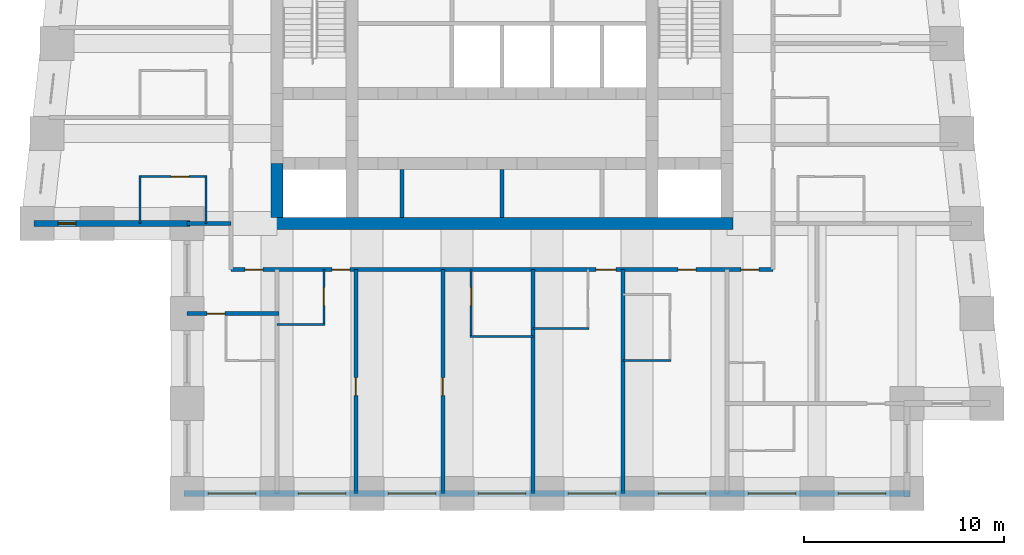
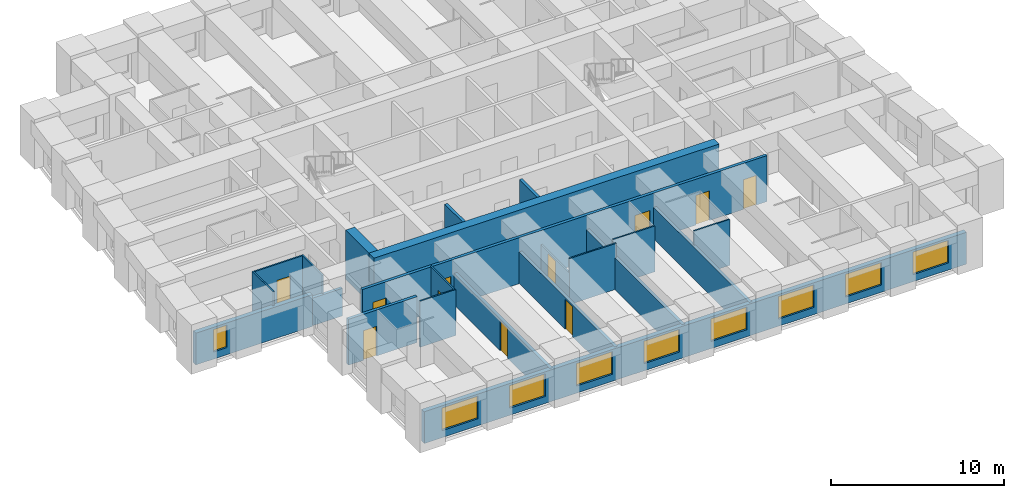
# One storey, part 2 of 8: 22 walls, 11 doors, 9 windows, 20 openings.
"""IFC4 building model written with IfcOpenShell, lengths in metres."""

from ifc_helpers import new_model, si_unit, direction, frame, frame_2d, origin, place, context, subcontext, project, spatial, rectangle, extrude, material, layer, layer_set, type_object, element, fill, save


model = new_model("IFC4")

# Units and contexts
model_context = context("Model", 3, precision=1e-05, world=origin(), true_north=direction((0.0, 1.0)))
body_context = subcontext(model_context, "Body", "Model", "MODEL_VIEW")
ifc_project = project(units=[si_unit("LENGTHUNIT", "METRE"), si_unit("AREAUNIT", "SQUARE_METRE"), si_unit("VOLUMEUNIT", "CUBIC_METRE"), si_unit("PLANEANGLEUNIT", "RADIAN"), si_unit("MASSUNIT", "GRAM", prefix="KILO")], contexts=[model_context])

# Site, building, storey
site_placement = place(None, origin())
site = spatial("IfcSite", under=ifc_project, at=site_placement, CompositionType="ELEMENT")
building_placement = place(site_placement, origin())
building = spatial("IfcBuilding", under=site, at=building_placement, Name="Kilele Tower Hotel", CompositionType="ELEMENT")
storey_placement = place(building_placement, frame((0.0, 0.0, 200.89990234375)))
storey = spatial("IfcBuildingStorey", under=building, at=storey_placement, Name="L52", CompositionType="ELEMENT", Elevation=200.89990234375)

# Wall
ifc_material_1 = material(Name="Moisture-resistant board")
ifc_layer_1 = layer(ifc_material_1, 0.10009765625)
ifc_layer_set_1 = layer_set([ifc_layer_1], Name="Moisture-resistant board")
wall_type_1 = type_object("IfcWallType", Name="Bathroom partition 100", PredefinedType="PLUMBINGWALL", material=ifc_layer_set_1)
wall_1_placement = place(storey_placement, frame((13.5, 8.449951171875, 0.0), z_axis=(0.0, 0.0, 1.0), x_axis=(1.0, 0.0, 0.0)))
element("IfcWall", 1, at=wall_1_placement, inside=storey, type_object=wall_type_1, Name="Bathroom partition 100 L52", PredefinedType="PLUMBINGWALL", context=body_context, shape_type="SweptSolid", body=[
    extrude(rectangle(XDim=2.39990234375, YDim=0.10009765625, at=frame_2d((1.199951171875, 0.0))), origin(), (0.0, 0.0, 1.0), 3.25),
])

# Wall, opening, door
wall_2_placement = place(storey_placement, frame((15.85009765625, 11.199951171875, 0.0), z_axis=(0.0, 0.0, 1.0), x_axis=(0.0, -1.0, 0.0)))
wall_2 = element("IfcWall", 2, at=wall_2_placement, inside=storey, type_object=wall_type_1, Name="Bathroom partition 100 L52", PredefinedType="PLUMBINGWALL", context=body_context, shape_type="SweptSolid", body=[
    extrude(rectangle(XDim=2.800048828125, YDim=0.10009765625, at=frame_2d((1.39990234375, 0.0))), origin(), (0.0, 0.0, 1.0), 3.25),
])
opening_1_placement = place(wall_2_placement, frame((0.89990234375, 0.0, 0.0)))
opening_1 = element("IfcOpeningElement", 3, at=opening_1_placement, cuts=wall_2, Name="Opening D2A", PredefinedType="OPENING", context=body_context, shape_type="SweptSolid", body=[
    extrude(rectangle(XDim=0.89990234375, YDim=2.10009765625, at=frame_2d((0.449951171875, 1.050048828125))), frame((0.0, 0.06005859375, 0.0), z_axis=(0.0, -1.0, 0.0), x_axis=(1.0, 0.0, 0.0)), (0.0, 0.0, 1.0), 0.1201171875),
])
ifc_material_2 = material(Name="Timber door leaf in hardwood frame", Category="wood")
door_type_1 = type_object("IfcDoorType", Name="Bathroom door 900", OperationType="SINGLE_SWING_LEFT", PredefinedType="DOOR", material=ifc_material_2)
door_1_placement = place(opening_1_placement, origin())
door_1 = element("IfcDoor", 4, at=door_1_placement, inside=storey, type_object=door_type_1, Name="Bathroom door 5201B", OperationType="SINGLE_SWING_LEFT", OverallHeight=2.10009765625, OverallWidth=0.89990234375, PredefinedType="DOOR", context=body_context, shape_type="SweptSolid", body=[
    extrude(rectangle(XDim=0.89990234375, YDim=2.10009765625, at=frame_2d((0.449951171875, 1.050048828125))), frame((0.0, 0.02490234375, 0.0), z_axis=(0.0, -1.0, 0.0), x_axis=(1.0, 0.0, 0.0)), (0.0, 0.0, 1.0), 0.050048828125),
])
fill(opening_1, door_1)

# Wall
wall_3_placement = place(storey_placement, frame((23.14990234375, 7.85009765625, 0.0), z_axis=(0.0, 0.0, 1.0), x_axis=(1.0, 0.0, 0.0)))
element("IfcWall", 5, at=wall_3_placement, inside=storey, type_object=wall_type_1, Name="Bathroom partition 100 L52", PredefinedType="PLUMBINGWALL", context=body_context, shape_type="SweptSolid", body=[
    extrude(rectangle(XDim=3.150146484375, YDim=0.10009765625, at=frame_2d((1.5751953125, 0.0))), origin(), (0.0, 0.0, 1.0), 3.25),
])

# Wall, opening, door
wall_4_placement = place(storey_placement, frame((23.199951171875, 11.199951171875, 0.0), z_axis=(0.0, 0.0, 1.0), x_axis=(0.0, -1.0, 0.0)))
wall_4 = element("IfcWall", 6, at=wall_4_placement, inside=storey, type_object=wall_type_1, Name="Bathroom partition 100 L52", PredefinedType="PLUMBINGWALL", context=body_context, shape_type="SweptSolid", body=[
    extrude(rectangle(XDim=3.39990234375, YDim=0.10009765625, at=frame_2d((1.699951171875, 0.0))), origin(), (0.0, 0.0, 1.0), 2.25),
])
opening_2_placement = place(wall_4_placement, frame((1.7998046875, 0.0, 0.0), z_axis=(0.0, 0.0, 1.0), x_axis=(-1.0, 0.0, 0.0)))
opening_2 = element("IfcOpeningElement", 7, at=opening_2_placement, cuts=wall_4, Name="Opening D2A", PredefinedType="OPENING", context=body_context, shape_type="SweptSolid", body=[
    extrude(rectangle(XDim=0.89990234375, YDim=2.10009765625, at=frame_2d((0.449951171875, 1.050048828125))), frame((0.0, 0.06005859375, 0.0), z_axis=(0.0, -1.0, 0.0), x_axis=(1.0, 0.0, 0.0)), (0.0, 0.0, 1.0), 0.1201171875),
])
door_2_placement = place(opening_2_placement, origin())
door_2 = element("IfcDoor", 8, at=door_2_placement, inside=storey, type_object=door_type_1, Name="Bathroom door 5203B", OperationType="SINGLE_SWING_RIGHT", OverallHeight=2.10009765625, OverallWidth=0.89990234375, PredefinedType="DOOR", context=body_context, shape_type="SweptSolid", body=[
    extrude(rectangle(XDim=0.89990234375, YDim=2.10009765625, at=frame_2d((0.449951171875, 1.050048828125))), frame((0.0, 0.02490234375, 0.0), z_axis=(0.0, -1.0, 0.0), x_axis=(1.0, 0.0, 0.0)), (0.0, 0.0, 1.0), 0.050048828125),
])
fill(opening_2, door_2)

# Walls
wall_5_placement = place(storey_placement, frame((26.300048828125, 8.25, 0.0), z_axis=(0.0, 0.0, 1.0), x_axis=(1.0, 0.0, 0.0)))
element("IfcWall", 9, at=wall_5_placement, inside=storey, type_object=wall_type_1, Name="Bathroom partition 100 L52", PredefinedType="PLUMBINGWALL", context=body_context, shape_type="SweptSolid", body=[
    extrude(rectangle(XDim=2.800048828125, YDim=0.10009765625, at=frame_2d((1.39990234375, 0.0))), origin(), (0.0, 0.0, 1.0), 3.25),
])
for number, where, z_axis, x_axis, name in (
    (10, (30.800048828125, 6.64990234375, 0.0), (0.0, 0.0, 1.0), (1.0, 0.0, 0.0), "Bathroom partition 100 L52"),
    (11, (9.949951171875, 13.5, 0.0), (0.0, 0.0, 1.0), (0.0, 1.0, 0.0), "Bathroom partition 100 L52"),
    (12, (6.64990234375, 13.5, 0.0), (0.0, 0.0, 1.0), (0.0, 1.0, 0.0), "Bathroom partition 100 L52"),
):
    element("IfcWall", number, at=place(storey_placement, frame(where, z_axis=z_axis, x_axis=x_axis)), inside=storey, type_object=wall_type_1, Name=name, PredefinedType="PLUMBINGWALL", context=body_context, shape_type="SweptSolid", body=[
        extrude(rectangle(XDim=2.39990234375, YDim=0.10009765625, at=frame_2d((1.199951171875, 0.0))), origin(), (0.0, 0.0, 1.0), 3.25),
    ])

# Wall, opening, door
wall_6_placement = place(storey_placement, frame((10.0, 15.85009765625, 0.0), z_axis=(0.0, 0.0, 1.0), x_axis=(-1.0, 0.0, 0.0)))
wall_6 = element("IfcWall", 13, at=wall_6_placement, inside=storey, type_object=wall_type_1, Name="Bathroom partition 100 L52", PredefinedType="PLUMBINGWALL", context=body_context, shape_type="SweptSolid", body=[
    extrude(rectangle(XDim=3.39990234375, YDim=0.10009765625, at=frame_2d((1.699951171875, 0.0))), origin(), (0.0, 0.0, 1.0), 3.25),
])
opening_3_placement = place(wall_6_placement, frame((1.7998046875, 0.0, 0.0), z_axis=(0.0, 0.0, 1.0), x_axis=(-1.0, 0.0, 0.0)))
opening_3 = element("IfcOpeningElement", 14, at=opening_3_placement, cuts=wall_6, Name="Opening D2A", PredefinedType="OPENING", context=body_context, shape_type="SweptSolid", body=[
    extrude(rectangle(XDim=0.89990234375, YDim=2.10009765625, at=frame_2d((0.449951171875, 1.050048828125))), frame((0.0, 0.06005859375, 0.0), z_axis=(0.0, -1.0, 0.0), x_axis=(1.0, 0.0, 0.0)), (0.0, 0.0, 1.0), 0.1201171875),
])
door_3_placement = place(opening_3_placement, origin())
door_3 = element("IfcDoor", 15, at=door_3_placement, inside=storey, type_object=door_type_1, Name="Bathroom door 5214B", OperationType="SINGLE_SWING_RIGHT", OverallHeight=2.10009765625, OverallWidth=0.89990234375, PredefinedType="DOOR", context=body_context, shape_type="SweptSolid", body=[
    extrude(rectangle(XDim=0.89990234375, YDim=2.10009765625, at=frame_2d((0.449951171875, 1.050048828125))), frame((0.0, 0.02490234375, 0.0), z_axis=(0.0, -1.0, 0.0), x_axis=(1.0, 0.0, 0.0)), (0.0, 0.0, 1.0), 0.050048828125),
])
fill(opening_3, door_3)

# Walls
ifc_material_3 = material(Name="Concrete C70/85", Category="concrete")
ifc_layer_2 = layer(ifc_material_3, 0.60009765625)
ifc_layer_set_2 = layer_set([ifc_layer_2], Name="Concrete C70/85")
wall_type_2 = type_object("IfcWallType", Name="Core wall 600 C70/85", PredefinedType="SHEAR", material=ifc_layer_set_2)
wall_7_placement = place(storey_placement, frame((13.199951171875, 13.5, 0.0), z_axis=(0.0, 0.0, 1.0), x_axis=(1.0, 0.0, 0.0)))
element("IfcWall", 16, at=wall_7_placement, inside=storey, type_object=wall_type_2, Name="Core wall S L52", PredefinedType="SHEAR", context=body_context, shape_type="SweptSolid", body=[
    extrude(rectangle(XDim=23.10009765625, YDim=0.60009765625, at=frame_2d((11.550048828125, 0.0))), origin(), (0.0, 0.0, 1.0), 3.5),
])
wall_8_placement = place(storey_placement, frame((13.5, 16.5, 0.0), z_axis=(0.0, 0.0, 1.0), x_axis=(0.0, -1.0, 0.0)))
element("IfcWall", 17, at=wall_8_placement, inside=storey, type_object=wall_type_2, Name="Core wall W3 L52", PredefinedType="SHEAR", context=body_context, shape_type="SweptSolid", body=[
    extrude(rectangle(XDim=2.699951171875, YDim=0.60009765625, at=frame_2d((1.35009765625, 0.0))), origin(), (0.0, 0.0, 1.0), 3.5),
])

# Wall, openings, doors
ifc_material_4 = material(Name="Blockwork, plastered both sides", Category="masonry")
ifc_layer_3 = layer(ifc_material_4, 0.199951171875)
ifc_layer_set_3 = layer_set([ifc_layer_3], Name="Blockwork, plastered both sides")
wall_type_3 = type_object("IfcWallType", Name="Corridor wall 200", PredefinedType="PARTITIONING", material=ifc_layer_set_3)
wall_9_placement = place(storey_placement, frame((11.199951171875, 11.199951171875, 0.0), z_axis=(0.0, 0.0, 1.0), x_axis=(1.0, 0.0, 0.0)))
wall_9 = element("IfcWall", 18, at=wall_9_placement, inside=storey, type_object=wall_type_3, Name="Corridor wall 200 L52", PredefinedType="PARTITIONING", context=body_context, shape_type="SweptSolid", body=[
    extrude(rectangle(XDim=27.10009765625, YDim=0.199951171875, at=frame_2d((13.550048828125, 0.0))), origin(), (0.0, 0.0, 1.0), 3.25),
])
opening_4_placement = place(wall_9_placement, frame((5.949951171875, 0.0, 0.0), z_axis=(0.0, 0.0, 1.0), x_axis=(-1.0, 0.0, 0.0)))
opening_4 = element("IfcOpeningElement", 19, at=opening_4_placement, cuts=wall_9, Name="Opening D1", PredefinedType="OPENING", context=body_context, shape_type="SweptSolid", body=[
    extrude(rectangle(XDim=0.89990234375, YDim=2.10009765625, at=frame_2d((0.449951171875, 1.050048828125))), frame((0.0, 0.10986328125, 0.0), z_axis=(0.0, -1.0, 0.0), x_axis=(1.0, 0.0, 0.0)), (0.0, 0.0, 1.0), 0.219970703125),
])
opening_5_placement = place(wall_9_placement, frame((19.25, 0.0, 0.0), z_axis=(0.0, 0.0, 1.0), x_axis=(-1.0, 0.0, 0.0)))
opening_5 = element("IfcOpeningElement", 20, at=opening_5_placement, cuts=wall_9, Name="Opening D1A", PredefinedType="OPENING", context=body_context, shape_type="SweptSolid", body=[
    extrude(rectangle(XDim=1.0, YDim=2.10009765625, at=frame_2d((0.5, 1.050048828125))), frame((0.0, 0.10986328125, 0.0), z_axis=(0.0, -1.0, 0.0), x_axis=(1.0, 0.0, 0.0)), (0.0, 0.0, 1.0), 0.219970703125),
])
opening_6_placement = place(wall_9_placement, frame((23.25, 0.0, 0.0), z_axis=(0.0, 0.0, 1.0), x_axis=(-1.0, 0.0, 0.0)))
opening_6 = element("IfcOpeningElement", 21, at=opening_6_placement, cuts=wall_9, Name="Opening D1", PredefinedType="OPENING", context=body_context, shape_type="SweptSolid", body=[
    extrude(rectangle(XDim=0.89990234375, YDim=2.10009765625, at=frame_2d((0.449951171875, 1.050048828125))), frame((0.0, 0.10986328125, 0.0), z_axis=(0.0, -1.0, 0.0), x_axis=(1.0, 0.0, 0.0)), (0.0, 0.0, 1.0), 0.219970703125),
])
opening_7_placement = place(wall_9_placement, frame((1.599853515625, 0.0, 0.0), z_axis=(0.0, 0.0, 1.0), x_axis=(-1.0, 0.0, 0.0)))
opening_7 = element("IfcOpeningElement", 22, at=opening_7_placement, cuts=wall_9, Name="Opening D1", PredefinedType="OPENING", context=body_context, shape_type="SweptSolid", body=[
    extrude(rectangle(XDim=0.89990234375, YDim=2.10009765625, at=frame_2d((0.449951171875, 1.050048828125))), frame((0.0, 0.10986328125, 0.0), z_axis=(0.0, -1.0, 0.0), x_axis=(1.0, 0.0, 0.0)), (0.0, 0.0, 1.0), 0.219970703125),
])
opening_8_placement = place(wall_9_placement, frame((26.39990234375, 0.0, 0.0), z_axis=(0.0, 0.0, 1.0), x_axis=(-1.0, 0.0, 0.0)))
opening_8 = element("IfcOpeningElement", 23, at=opening_8_placement, cuts=wall_9, Name="Opening D1", PredefinedType="OPENING", context=body_context, shape_type="SweptSolid", body=[
    extrude(rectangle(XDim=0.89990234375, YDim=2.10009765625, at=frame_2d((0.449951171875, 1.050048828125))), frame((0.0, 0.10986328125, 0.0), z_axis=(0.0, -1.0, 0.0), x_axis=(1.0, 0.0, 0.0)), (0.0, 0.0, 1.0), 0.219970703125),
])
ifc_material_5 = material(Name="Timber door leaf in hardwood frame", Category="wood")
door_type_2 = type_object("IfcDoorType", Name="Guest room entrance door 1000", OperationType="SINGLE_SWING_LEFT", PredefinedType="DOOR", material=ifc_material_5)
door_4_placement = place(opening_5_placement, origin())
door_4 = element("IfcDoor", 24, at=door_4_placement, inside=storey, type_object=door_type_2, Name="Room entrance 5204", OperationType="SINGLE_SWING_LEFT", OverallHeight=2.10009765625, OverallWidth=1.0, PredefinedType="DOOR", context=body_context, shape_type="SweptSolid", body=[
    extrude(rectangle(XDim=1.0, YDim=2.10009765625, at=frame_2d((0.5, 1.050048828125))), frame((0.0, 0.02490234375, 0.0), z_axis=(0.0, -1.0, 0.0), x_axis=(1.0, 0.0, 0.0)), (0.0, 0.0, 1.0), 0.050048828125),
])
fill(opening_5, door_4)
ifc_material_6 = material(Name="Timber door leaf in hardwood frame", Category="wood")
door_type_3 = type_object("IfcDoorType", Name="Guest room entrance door 900", OperationType="SINGLE_SWING_LEFT", PredefinedType="DOOR", material=ifc_material_6)
door_5_placement = place(opening_4_placement, origin())
door_5 = element("IfcDoor", 25, at=door_5_placement, inside=storey, type_object=door_type_3, Name="Room entrance 5201", OperationType="SINGLE_SWING_LEFT", OverallHeight=2.10009765625, OverallWidth=0.89990234375, PredefinedType="DOOR", context=body_context, shape_type="SweptSolid", body=[
    extrude(rectangle(XDim=0.89990234375, YDim=2.10009765625, at=frame_2d((0.449951171875, 1.050048828125))), frame((0.0, 0.02490234375, 0.0), z_axis=(0.0, -1.0, 0.0), x_axis=(1.0, 0.0, 0.0)), (0.0, 0.0, 1.0), 0.050048828125),
])
fill(opening_4, door_5)
door_6_placement = place(opening_6_placement, origin())
door_6 = element("IfcDoor", 26, at=door_6_placement, inside=storey, type_object=door_type_3, Name="Room entrance 5205", OperationType="SINGLE_SWING_LEFT", OverallHeight=2.10009765625, OverallWidth=0.89990234375, PredefinedType="DOOR", context=body_context, shape_type="SweptSolid", body=[
    extrude(rectangle(XDim=0.89990234375, YDim=2.10009765625, at=frame_2d((0.449951171875, 1.050048828125))), frame((0.0, 0.02490234375, 0.0), z_axis=(0.0, -1.0, 0.0), x_axis=(1.0, 0.0, 0.0)), (0.0, 0.0, 1.0), 0.050048828125),
])
fill(opening_6, door_6)
door_7_placement = place(opening_7_placement, origin())
door_7 = element("IfcDoor", 27, at=door_7_placement, inside=storey, type_object=door_type_3, Name="Room entrance 5217", OperationType="SINGLE_SWING_LEFT", OverallHeight=2.10009765625, OverallWidth=0.89990234375, PredefinedType="DOOR", context=body_context, shape_type="SweptSolid", body=[
    extrude(rectangle(XDim=0.89990234375, YDim=2.10009765625, at=frame_2d((0.449951171875, 1.050048828125))), frame((0.0, 0.02490234375, 0.0), z_axis=(0.0, -1.0, 0.0), x_axis=(1.0, 0.0, 0.0)), (0.0, 0.0, 1.0), 0.050048828125),
])
fill(opening_7, door_7)
door_8_placement = place(opening_8_placement, origin())
door_8 = element("IfcDoor", 28, at=door_8_placement, inside=storey, type_object=door_type_3, Name="Room entrance 5219", OperationType="SINGLE_SWING_RIGHT", OverallHeight=2.10009765625, OverallWidth=0.89990234375, PredefinedType="DOOR", context=body_context, shape_type="SweptSolid", body=[
    extrude(rectangle(XDim=0.89990234375, YDim=2.10009765625, at=frame_2d((0.449951171875, 1.050048828125))), frame((0.0, 0.02490234375, 0.0), z_axis=(0.0, -1.0, 0.0), x_axis=(1.0, 0.0, 0.0)), (0.0, 0.0, 1.0), 0.050048828125),
])
fill(opening_8, door_8)

# Wall, opening, door
ifc_material_7 = material(Name="Blockwork, plastered both sides", Category="masonry")
ifc_layer_4 = layer(ifc_material_7, 0.199951171875)
ifc_layer_set_4 = layer_set([ifc_layer_4], Name="Blockwork, plastered both sides")
wall_type_4 = type_object("IfcWallType", Name="Party wall 200", PredefinedType="PARTITIONING", material=ifc_layer_set_4)
wall_10_placement = place(storey_placement, frame((17.449951171875, 11.199951171875, 0.0), z_axis=(0.0, 0.0, 1.0), x_axis=(0.0, -1.0, 0.0)))
wall_10 = element("IfcWall", 29, at=wall_10_placement, inside=storey, type_object=wall_type_4, Name="Party wall 200 L52", PredefinedType="PARTITIONING", context=body_context, shape_type="SweptSolid", body=[
    extrude(rectangle(XDim=11.199951171875, YDim=0.199951171875, at=frame_2d((5.60009765625, 0.0))), origin(), (0.0, 0.0, 1.0), 2.25),
])
opening_9_placement = place(wall_10_placement, frame((5.39990234375, 0.0, 0.0)))
opening_9 = element("IfcOpeningElement", 30, at=opening_9_placement, cuts=wall_10, Name="Opening D3", PredefinedType="OPENING", context=body_context, shape_type="SweptSolid", body=[
    extrude(rectangle(XDim=0.89990234375, YDim=2.10009765625, at=frame_2d((0.449951171875, 1.050048828125))), frame((0.0, 0.10986328125, 0.0), z_axis=(0.0, -1.0, 0.0), x_axis=(1.0, 0.0, 0.0)), (0.0, 0.0, 1.0), 0.219970703125),
])
ifc_material_8 = material(Name="Timber door leaf in hardwood frame", Category="wood")
door_type_4 = type_object("IfcDoorType", Name="Suite internal door 900", OperationType="SINGLE_SWING_LEFT", PredefinedType="DOOR", material=ifc_material_8)
door_9_placement = place(opening_9_placement, origin())
door_9 = element("IfcDoor", 31, at=door_9_placement, inside=storey, type_object=door_type_4, Name="Suite door 5202", OperationType="SINGLE_SWING_RIGHT", OverallHeight=2.10009765625, OverallWidth=0.89990234375, PredefinedType="DOOR", context=body_context, shape_type="SweptSolid", body=[
    extrude(rectangle(XDim=0.89990234375, YDim=2.10009765625, at=frame_2d((0.449951171875, 1.050048828125))), frame((0.0, 0.02490234375, 0.0), z_axis=(0.0, -1.0, 0.0), x_axis=(1.0, 0.0, 0.0)), (0.0, 0.0, 1.0), 0.050048828125),
])
fill(opening_9, door_9)

wall_11_placement = place(storey_placement, frame((21.800048828125, 11.199951171875, 0.0), z_axis=(0.0, 0.0, 1.0), x_axis=(0.0, -1.0, 0.0)))
wall_11 = element("IfcWall", 32, at=wall_11_placement, inside=storey, type_object=wall_type_4, Name="Party wall 200 L52", PredefinedType="PARTITIONING", context=body_context, shape_type="SweptSolid", body=[
    extrude(rectangle(XDim=11.199951171875, YDim=0.199951171875, at=frame_2d((5.60009765625, 0.0))), origin(), (0.0, 0.0, 1.0), 2.25),
])
opening_10_placement = place(wall_11_placement, frame((5.39990234375, 0.0, 0.0)))
opening_10 = element("IfcOpeningElement", 33, at=opening_10_placement, cuts=wall_11, Name="Opening D3", PredefinedType="OPENING", context=body_context, shape_type="SweptSolid", body=[
    extrude(rectangle(XDim=0.89990234375, YDim=2.10009765625, at=frame_2d((0.449951171875, 1.050048828125))), frame((0.0, 0.10986328125, 0.0), z_axis=(0.0, -1.0, 0.0), x_axis=(1.0, 0.0, 0.0)), (0.0, 0.0, 1.0), 0.219970703125),
])
door_10_placement = place(opening_10_placement, origin())
door_10 = element("IfcDoor", 34, at=door_10_placement, inside=storey, type_object=door_type_4, Name="Suite door 5203", OperationType="SINGLE_SWING_RIGHT", OverallHeight=2.10009765625, OverallWidth=0.89990234375, PredefinedType="DOOR", context=body_context, shape_type="SweptSolid", body=[
    extrude(rectangle(XDim=0.89990234375, YDim=2.10009765625, at=frame_2d((0.449951171875, 1.050048828125))), frame((0.0, 0.02490234375, 0.0), z_axis=(0.0, -1.0, 0.0), x_axis=(1.0, 0.0, 0.0)), (0.0, 0.0, 1.0), 0.050048828125),
])
fill(opening_10, door_10)

# Walls
for number, where, z_axis, x_axis, name in (
    (35, (26.300048828125, 11.199951171875, 0.0), (0.0, 0.0, 1.0), (0.0, -1.0, 0.0), "Party wall 200 L52"),
    (36, (30.800048828125, 11.199951171875, 0.0), (0.0, 0.0, 1.0), (0.0, -1.0, 0.0), "Party wall 200 L52"),
):
    element("IfcWall", number, at=place(storey_placement, frame(where, z_axis=z_axis, x_axis=x_axis)), inside=storey, type_object=wall_type_4, Name=name, PredefinedType="PARTITIONING", context=body_context, shape_type="SweptSolid", body=[
        extrude(rectangle(XDim=11.199951171875, YDim=0.199951171875, at=frame_2d((5.60009765625, 0.0))), origin(), (0.0, 0.0, 1.0), 2.25),
    ])
wall_12_placement = place(storey_placement, frame((11.199951171875, 13.5, 0.0), z_axis=(0.0, 0.0, 1.0), x_axis=(-1.0, 0.0, 0.0)))
element("IfcWall", 37, at=wall_12_placement, inside=storey, type_object=wall_type_4, Name="Party wall 200 L52", PredefinedType="PARTITIONING", context=body_context, shape_type="SweptSolid", body=[
    extrude(rectangle(XDim=2.199951171875, YDim=0.199951171875, at=frame_2d((1.10009765625, 0.0))), origin(), (0.0, 0.0, 1.0), 1.9501953125),
])

# Wall, opening, door
wall_13_placement = place(storey_placement, frame((13.60009765625, 9.0, 0.0), z_axis=(0.0, 0.0, 1.0), x_axis=(-1.0, 0.0, 0.0)))
wall_13 = element("IfcWall", 38, at=wall_13_placement, inside=storey, type_object=wall_type_4, Name="Party wall 200 L52", PredefinedType="PARTITIONING", context=body_context, shape_type="SweptSolid", body=[
    extrude(rectangle(XDim=4.60009765625, YDim=0.199951171875, at=frame_2d((2.300048828125, 0.0))), origin(), (0.0, 0.0, 1.0), 3.25),
])
opening_11_placement = place(wall_13_placement, frame((2.699951171875, 0.0, 0.0)))
opening_11 = element("IfcOpeningElement", 39, at=opening_11_placement, cuts=wall_13, Name="Opening D3", PredefinedType="OPENING", context=body_context, shape_type="SweptSolid", body=[
    extrude(rectangle(XDim=0.89990234375, YDim=2.10009765625, at=frame_2d((0.449951171875, 1.050048828125))), frame((0.0, 0.10986328125, 0.0), z_axis=(0.0, -1.0, 0.0), x_axis=(1.0, 0.0, 0.0)), (0.0, 0.0, 1.0), 0.219970703125),
])
door_11_placement = place(opening_11_placement, origin())
door_11 = element("IfcDoor", 40, at=door_11_placement, inside=storey, type_object=door_type_4, Name="Suite door 5218", OperationType="SINGLE_SWING_LEFT", OverallHeight=2.10009765625, OverallWidth=0.89990234375, PredefinedType="DOOR", context=body_context, shape_type="SweptSolid", body=[
    extrude(rectangle(XDim=0.89990234375, YDim=2.10009765625, at=frame_2d((0.449951171875, 1.050048828125))), frame((0.0, 0.02490234375, 0.0), z_axis=(0.0, -1.0, 0.0), x_axis=(1.0, 0.0, 0.0)), (0.0, 0.0, 1.0), 0.050048828125),
])
fill(opening_11, door_11)

# Wall, opening, window
ifc_material_9 = material(Name="Concrete C40/50 precast", Category="concrete")
ifc_layer_5 = layer(ifc_material_9, 0.260009765625, Name="Precast backing", Category="LoadBearing")
ifc_material_10 = material(Name="Reconstituted stone finish", Category="masonry")
ifc_layer_6 = layer(ifc_material_10, 0.0400390625, Name="Face mix", Category="Finish")
ifc_layer_set_5 = layer_set([ifc_layer_5, ifc_layer_6], Name="Precast concrete C40/50, reconstituted stone finish")
wall_type_5 = type_object("IfcWallType", Name="Precast stone facade wall 300", PredefinedType="STANDARD", material=ifc_layer_set_5)
wall_14_placement = place(storey_placement, frame((1.35009765625, 13.5, 0.0), z_axis=(0.0, 0.0, 1.0), x_axis=(1.0, 0.0, 0.0)))
wall_14 = element("IfcWall", 41, at=wall_14_placement, inside=storey, type_object=wall_type_5, Name="Facade wall L52 edge 1", PredefinedType="STANDARD", context=body_context, shape_type="SweptSolid", body=[
    extrude(rectangle(XDim=7.7998046875, YDim=0.300048828125, at=frame_2d((3.89990234375, 0.0))), origin(), (0.0, 0.0, 1.0), 2.25),
])
opening_12_placement = place(wall_14_placement, frame((1.199951171875, 0.0, 0.5)))
opening_12 = element("IfcOpeningElement", 42, at=opening_12_placement, cuts=wall_14, Name="Opening W3", PredefinedType="OPENING", context=body_context, shape_type="SweptSolid", body=[
    extrude(rectangle(XDim=0.89990234375, YDim=1.60009765625, at=frame_2d((0.449951171875, 0.800048828125))), frame((0.0, 0.159912109375, 0.0), z_axis=(0.0, -1.0, 0.0), x_axis=(1.0, 0.0, 0.0)), (0.0, 0.0, 1.0), 0.320068359375),
])
ifc_material_11 = material(Name="Aluminium frame, clear double glazing", Category="aluminium")
window_type_1 = type_object("IfcWindowType", Name="Window W3 900 x 1600", PartitioningType="SINGLE_PANEL", PredefinedType="WINDOW", material=ifc_material_11)
window_1_placement = place(opening_12_placement, origin())
window_1 = element("IfcWindow", 43, at=window_1_placement, inside=storey, type_object=window_type_1, Name="Window L52", OverallHeight=1.60009765625, OverallWidth=0.89990234375, PartitioningType="SINGLE_PANEL", PredefinedType="WINDOW", context=body_context, shape_type="SweptSolid", body=[
    extrude(rectangle(XDim=0.89990234375, YDim=1.60009765625, at=frame_2d((0.449951171875, 0.800048828125))), frame((0.0, 0.030029296875, 0.0), z_axis=(0.0, -1.0, 0.0), x_axis=(1.0, 0.0, 0.0)), (0.0, 0.0, 1.0), 0.06005859375),
])
fill(opening_12, window_1)

# Wall, openings, windows
wall_15_placement = place(storey_placement, frame((8.85009765625, 0.0, 0.0), z_axis=(0.0, 0.0, 1.0), x_axis=(1.0, 0.0, 0.0)))
wall_15 = element("IfcWall", 44, at=wall_15_placement, inside=storey, type_object=wall_type_5, Name="Facade wall L52 edge 3", PredefinedType="STANDARD", context=body_context, shape_type="SweptSolid", body=[
    extrude(rectangle(XDim=36.2998046875, YDim=0.300048828125, at=frame_2d((18.14990234375, 0.0))), origin(), (0.0, 0.0, 1.0), 2.25),
])
opening_13_placement = place(wall_15_placement, frame((1.199951171875, 0.0, 0.5)))
opening_13 = element("IfcOpeningElement", 45, at=opening_13_placement, cuts=wall_15, Name="Opening W3", PredefinedType="OPENING", context=body_context, shape_type="SweptSolid", body=[
    extrude(rectangle(XDim=2.39990234375, YDim=1.60009765625, at=frame_2d((1.199951171875, 0.800048828125))), frame((0.0, 0.159912109375, 0.0), z_axis=(0.0, -1.0, 0.0), x_axis=(1.0, 0.0, 0.0)), (0.0, 0.0, 1.0), 0.320068359375),
])
opening_14_placement = place(wall_15_placement, frame((5.699951171875, 0.0, 0.5)))
opening_14 = element("IfcOpeningElement", 46, at=opening_14_placement, cuts=wall_15, Name="Opening W3", PredefinedType="OPENING", context=body_context, shape_type="SweptSolid", body=[
    extrude(rectangle(XDim=2.39990234375, YDim=1.60009765625, at=frame_2d((1.199951171875, 0.800048828125))), frame((0.0, 0.159912109375, 0.0), z_axis=(0.0, -1.0, 0.0), x_axis=(1.0, 0.0, 0.0)), (0.0, 0.0, 1.0), 0.320068359375),
])
opening_15_placement = place(wall_15_placement, frame((10.199951171875, 0.0, 0.5)))
opening_15 = element("IfcOpeningElement", 47, at=opening_15_placement, cuts=wall_15, Name="Opening W3", PredefinedType="OPENING", context=body_context, shape_type="SweptSolid", body=[
    extrude(rectangle(XDim=2.39990234375, YDim=1.60009765625, at=frame_2d((1.199951171875, 0.800048828125))), frame((0.0, 0.159912109375, 0.0), z_axis=(0.0, -1.0, 0.0), x_axis=(1.0, 0.0, 0.0)), (0.0, 0.0, 1.0), 0.320068359375),
])
opening_16_placement = place(wall_15_placement, frame((14.699951171875, 0.0, 0.5)))
opening_16 = element("IfcOpeningElement", 48, at=opening_16_placement, cuts=wall_15, Name="Opening W3", PredefinedType="OPENING", context=body_context, shape_type="SweptSolid", body=[
    extrude(rectangle(XDim=2.39990234375, YDim=1.60009765625, at=frame_2d((1.199951171875, 0.800048828125))), frame((0.0, 0.159912109375, 0.0), z_axis=(0.0, -1.0, 0.0), x_axis=(1.0, 0.0, 0.0)), (0.0, 0.0, 1.0), 0.320068359375),
])
opening_17_placement = place(wall_15_placement, frame((19.199951171875, 0.0, 0.5)))
opening_17 = element("IfcOpeningElement", 49, at=opening_17_placement, cuts=wall_15, Name="Opening W3", PredefinedType="OPENING", context=body_context, shape_type="SweptSolid", body=[
    extrude(rectangle(XDim=2.39990234375, YDim=1.60009765625, at=frame_2d((1.199951171875, 0.800048828125))), frame((0.0, 0.159912109375, 0.0), z_axis=(0.0, -1.0, 0.0), x_axis=(1.0, 0.0, 0.0)), (0.0, 0.0, 1.0), 0.320068359375),
])
opening_18_placement = place(wall_15_placement, frame((23.699951171875, 0.0, 0.5)))
opening_18 = element("IfcOpeningElement", 50, at=opening_18_placement, cuts=wall_15, Name="Opening W3", PredefinedType="OPENING", context=body_context, shape_type="SweptSolid", body=[
    extrude(rectangle(XDim=2.39990234375, YDim=1.60009765625, at=frame_2d((1.199951171875, 0.800048828125))), frame((0.0, 0.159912109375, 0.0), z_axis=(0.0, -1.0, 0.0), x_axis=(1.0, 0.0, 0.0)), (0.0, 0.0, 1.0), 0.320068359375),
])
opening_19_placement = place(wall_15_placement, frame((28.199951171875, 0.0, 0.5)))
opening_19 = element("IfcOpeningElement", 51, at=opening_19_placement, cuts=wall_15, Name="Opening W3", PredefinedType="OPENING", context=body_context, shape_type="SweptSolid", body=[
    extrude(rectangle(XDim=2.39990234375, YDim=1.60009765625, at=frame_2d((1.199951171875, 0.800048828125))), frame((0.0, 0.159912109375, 0.0), z_axis=(0.0, -1.0, 0.0), x_axis=(1.0, 0.0, 0.0)), (0.0, 0.0, 1.0), 0.320068359375),
])
opening_20_placement = place(wall_15_placement, frame((32.699951171875, 0.0, 0.5)))
opening_20 = element("IfcOpeningElement", 52, at=opening_20_placement, cuts=wall_15, Name="Opening W3", PredefinedType="OPENING", context=body_context, shape_type="SweptSolid", body=[
    extrude(rectangle(XDim=2.39990234375, YDim=1.60009765625, at=frame_2d((1.199951171875, 0.800048828125))), frame((0.0, 0.159912109375, 0.0), z_axis=(0.0, -1.0, 0.0), x_axis=(1.0, 0.0, 0.0)), (0.0, 0.0, 1.0), 0.320068359375),
])
ifc_material_12 = material(Name="Aluminium frame, clear double glazing", Category="aluminium")
window_type_2 = type_object("IfcWindowType", Name="Window W3 2400 x 1600", PartitioningType="SINGLE_PANEL", PredefinedType="WINDOW", material=ifc_material_12)
window_2_placement = place(opening_13_placement, origin())
window_2 = element("IfcWindow", 53, at=window_2_placement, inside=storey, type_object=window_type_2, Name="Window L52", OverallHeight=1.60009765625, OverallWidth=2.39990234375, PartitioningType="SINGLE_PANEL", PredefinedType="WINDOW", context=body_context, shape_type="SweptSolid", body=[
    extrude(rectangle(XDim=2.39990234375, YDim=1.60009765625, at=frame_2d((1.199951171875, 0.800048828125))), frame((0.0, 0.030029296875, 0.0), z_axis=(0.0, -1.0, 0.0), x_axis=(1.0, 0.0, 0.0)), (0.0, 0.0, 1.0), 0.06005859375),
])
fill(opening_13, window_2)
window_3_placement = place(opening_14_placement, origin())
window_3 = element("IfcWindow", 54, at=window_3_placement, inside=storey, type_object=window_type_2, Name="Window L52", OverallHeight=1.60009765625, OverallWidth=2.39990234375, PartitioningType="SINGLE_PANEL", PredefinedType="WINDOW", context=body_context, shape_type="SweptSolid", body=[
    extrude(rectangle(XDim=2.39990234375, YDim=1.60009765625, at=frame_2d((1.199951171875, 0.800048828125))), frame((0.0, 0.030029296875, 0.0), z_axis=(0.0, -1.0, 0.0), x_axis=(1.0, 0.0, 0.0)), (0.0, 0.0, 1.0), 0.06005859375),
])
fill(opening_14, window_3)
window_4_placement = place(opening_15_placement, origin())
window_4 = element("IfcWindow", 55, at=window_4_placement, inside=storey, type_object=window_type_2, Name="Window L52", OverallHeight=1.60009765625, OverallWidth=2.39990234375, PartitioningType="SINGLE_PANEL", PredefinedType="WINDOW", context=body_context, shape_type="SweptSolid", body=[
    extrude(rectangle(XDim=2.39990234375, YDim=1.60009765625, at=frame_2d((1.199951171875, 0.800048828125))), frame((0.0, 0.030029296875, 0.0), z_axis=(0.0, -1.0, 0.0), x_axis=(1.0, 0.0, 0.0)), (0.0, 0.0, 1.0), 0.06005859375),
])
fill(opening_15, window_4)
window_5_placement = place(opening_16_placement, origin())
window_5 = element("IfcWindow", 56, at=window_5_placement, inside=storey, type_object=window_type_2, Name="Window L52", OverallHeight=1.60009765625, OverallWidth=2.39990234375, PartitioningType="SINGLE_PANEL", PredefinedType="WINDOW", context=body_context, shape_type="SweptSolid", body=[
    extrude(rectangle(XDim=2.39990234375, YDim=1.60009765625, at=frame_2d((1.199951171875, 0.800048828125))), frame((0.0, 0.030029296875, 0.0), z_axis=(0.0, -1.0, 0.0), x_axis=(1.0, 0.0, 0.0)), (0.0, 0.0, 1.0), 0.06005859375),
])
fill(opening_16, window_5)
window_6_placement = place(opening_17_placement, origin())
window_6 = element("IfcWindow", 57, at=window_6_placement, inside=storey, type_object=window_type_2, Name="Window L52", OverallHeight=1.60009765625, OverallWidth=2.39990234375, PartitioningType="SINGLE_PANEL", PredefinedType="WINDOW", context=body_context, shape_type="SweptSolid", body=[
    extrude(rectangle(XDim=2.39990234375, YDim=1.60009765625, at=frame_2d((1.199951171875, 0.800048828125))), frame((0.0, 0.030029296875, 0.0), z_axis=(0.0, -1.0, 0.0), x_axis=(1.0, 0.0, 0.0)), (0.0, 0.0, 1.0), 0.06005859375),
])
fill(opening_17, window_6)
window_7_placement = place(opening_18_placement, origin())
window_7 = element("IfcWindow", 58, at=window_7_placement, inside=storey, type_object=window_type_2, Name="Window L52", OverallHeight=1.60009765625, OverallWidth=2.39990234375, PartitioningType="SINGLE_PANEL", PredefinedType="WINDOW", context=body_context, shape_type="SweptSolid", body=[
    extrude(rectangle(XDim=2.39990234375, YDim=1.60009765625, at=frame_2d((1.199951171875, 0.800048828125))), frame((0.0, 0.030029296875, 0.0), z_axis=(0.0, -1.0, 0.0), x_axis=(1.0, 0.0, 0.0)), (0.0, 0.0, 1.0), 0.06005859375),
])
fill(opening_18, window_7)
window_8_placement = place(opening_19_placement, origin())
window_8 = element("IfcWindow", 59, at=window_8_placement, inside=storey, type_object=window_type_2, Name="Window L52", OverallHeight=1.60009765625, OverallWidth=2.39990234375, PartitioningType="SINGLE_PANEL", PredefinedType="WINDOW", context=body_context, shape_type="SweptSolid", body=[
    extrude(rectangle(XDim=2.39990234375, YDim=1.60009765625, at=frame_2d((1.199951171875, 0.800048828125))), frame((0.0, 0.030029296875, 0.0), z_axis=(0.0, -1.0, 0.0), x_axis=(1.0, 0.0, 0.0)), (0.0, 0.0, 1.0), 0.06005859375),
])
fill(opening_19, window_8)
window_9_placement = place(opening_20_placement, origin())
window_9 = element("IfcWindow", 60, at=window_9_placement, inside=storey, type_object=window_type_2, Name="Window L52", OverallHeight=1.60009765625, OverallWidth=2.39990234375, PartitioningType="SINGLE_PANEL", PredefinedType="WINDOW", context=body_context, shape_type="SweptSolid", body=[
    extrude(rectangle(XDim=2.39990234375, YDim=1.60009765625, at=frame_2d((1.199951171875, 0.800048828125))), frame((0.0, 0.030029296875, 0.0), z_axis=(0.0, -1.0, 0.0), x_axis=(1.0, 0.0, 0.0)), (0.0, 0.0, 1.0), 0.06005859375),
])
fill(opening_20, window_9)

# Walls
ifc_material_13 = material(Name="Blockwork, fire-rated", Category="masonry")
ifc_layer_7 = layer(ifc_material_13, 0.199951171875)
ifc_layer_set_6 = layer_set([ifc_layer_7], Name="Blockwork, fire-rated")
wall_type_6 = type_object("IfcWallType", Name="Shaft wall 200", PredefinedType="PARTITIONING", material=ifc_layer_set_6)
for number, where, z_axis, x_axis, name in (
    (61, (19.75, 13.800048828125, 0.0), (0.0, 0.0, 1.0), (0.0, 1.0, 0.0), "Shaft wall 200 L52"),
    (62, (24.75, 13.800048828125, 0.0), (0.0, 0.0, 1.0), (0.0, 1.0, 0.0), "Shaft wall 200 L52"),
):
    element("IfcWall", number, at=place(storey_placement, frame(where, z_axis=z_axis, x_axis=x_axis)), inside=storey, type_object=wall_type_6, Name=name, PredefinedType="PARTITIONING", context=body_context, shape_type="SweptSolid", body=[
        extrude(rectangle(XDim=2.39990234375, YDim=0.199951171875, at=frame_2d((1.199951171875, 0.0))), origin(), (0.0, 0.0, 1.0), 3.25),
    ])

save(model, "model.ifc")
